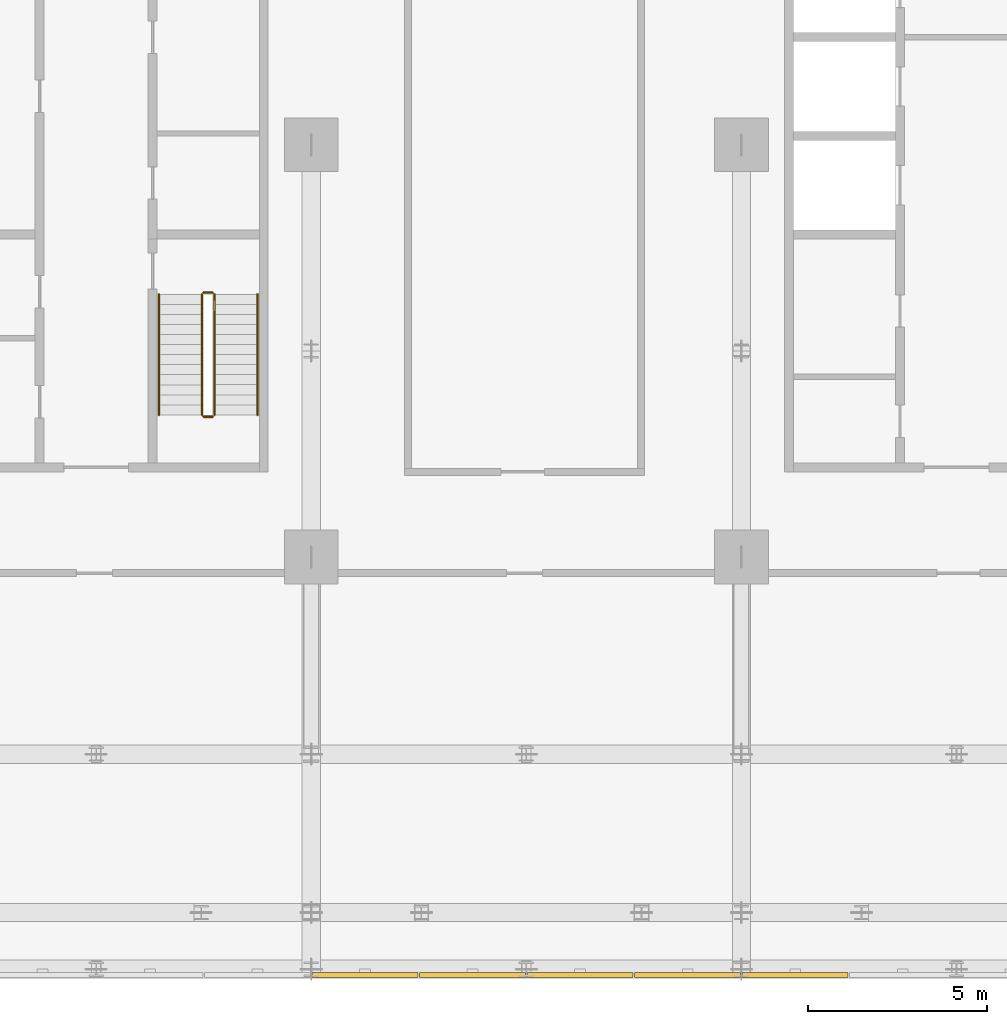
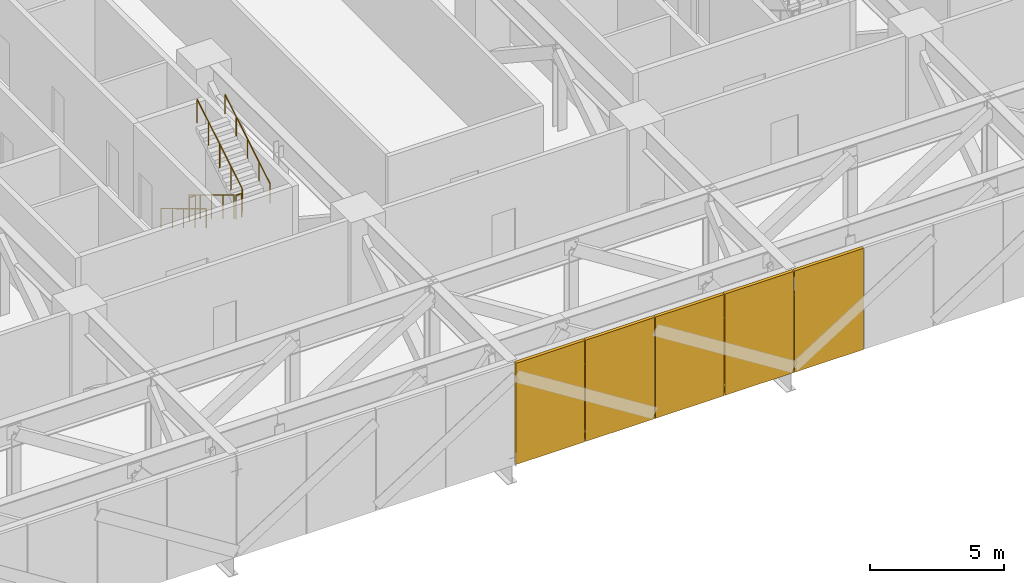
# One storey, part 22 of 26: 6 railings, 5 coverings.
"""IFC4 building model written with IfcOpenShell, lengths in metres."""

from ifc_helpers import new_model, si_unit, direction, frame, origin, origin_2d, place, context, subcontext, project, spatial, rectangle, circle, extrude, material, type_object, element, save


model = new_model("IFC4")

# Units and contexts
model_context = context("Model", 3, precision=1e-05, world=origin(), true_north=direction((0.0, 1.0)))
body_context = subcontext(model_context, "Body", "Model", "MODEL_VIEW")
ifc_project = project(units=[si_unit("LENGTHUNIT", "METRE"), si_unit("AREAUNIT", "SQUARE_METRE"), si_unit("VOLUMEUNIT", "CUBIC_METRE"), si_unit("PLANEANGLEUNIT", "RADIAN"), si_unit("MASSUNIT", "GRAM", prefix="KILO")], contexts=[model_context])

# Site, building, storey
site_placement = place(None, origin())
site = spatial("IfcSite", under=ifc_project, at=site_placement, CompositionType="ELEMENT")
building_placement = place(site_placement, origin())
building = spatial("IfcBuilding", under=site, at=building_placement, Name="Mahtab Terrace Research Tower", CompositionType="ELEMENT")
storey_placement = place(building_placement, frame((0.0, 0.0, 80.39990234375)))
storey = spatial("IfcBuildingStorey", under=building, at=storey_placement, Name="L18", CompositionType="ELEMENT", Elevation=80.39990234375)

# Coverings
ifc_material_1 = material(Name="Natural anodised aluminium", Category="aluminium")
covering_type = type_object("IfcCoveringType", Name="Plant storey louvre bay", PredefinedType="CLADDING", material=ifc_material_1)
for number, where, z_axis, x_axis, name in (
    (1, (7.5, -23.159912109375, -0.5498046875), (0.0, 0.0, 1.0), (1.0, 0.0, 0.0), "Louvre bay L18 69"),
    (2, (10.5, -23.159912109375, -0.5498046875), (0.0, 0.0, 1.0), (1.0, 0.0, 0.0), "Louvre bay L18 70"),
    (3, (13.5, -23.159912109375, -0.5498046875), (0.0, 0.0, 1.0), (1.0, 0.0, 0.0), "Louvre bay L18 71"),
    (4, (16.5, -23.159912109375, -0.5498046875), (0.0, 0.0, 1.0), (1.0, 0.0, 0.0), "Louvre bay L18 72"),
    (5, (19.5, -23.159912109375, -0.5498046875), (0.0, 0.0, 1.0), (1.0, 0.0, 0.0), "Louvre bay L18 73"),
):
    element("IfcCovering", number, at=place(storey_placement, frame(where, z_axis=z_axis, x_axis=x_axis)), inside=storey, type_object=covering_type, Name=name, PredefinedType="CLADDING", context=body_context, shape_type="SweptSolid", body=[
        extrude(rectangle(XDim=2.9599609375, YDim=0.139892578125, at=origin_2d()), origin(), (0.0, 0.0, 1.0), 4.610107421875),
    ])

# Railings
ifc_material_2 = material(Name="Stainless steel AISI 304", Category="steel")
railing_type_1 = type_object("IfcRailingType", Name="Stair guard 1100", PredefinedType="GUARDRAIL", material=ifc_material_2)
railing_1_placement = place(storey_placement, frame((2.949951171875, -4.175048828125, 0.16943359375)))
element("IfcRailing", 6, at=railing_1_placement, inside=storey, type_object=railing_type_1, Name="L18 ST2 stair guard 1", PredefinedType="GUARDRAIL", context=body_context, shape_type="SweptSolid", body=[
    extrude(circle(Radius=0.02392578125, at=origin_2d()), frame((0.0, 0.0, 1.076171875), z_axis=(0.0, -0.855820338506, 0.51727318527), x_axis=(1.0, 0.0, 0.0)), (0.0, 0.0, 1.0), 3.92578125),
    extrude(circle(Radius=0.02099609375, at=origin_2d()), origin(), (0.0, 0.0, 1.0), 1.052001953125),
    extrude(circle(Radius=0.02099609375, at=origin_2d()), frame((0.0, -0.83984375, 0.5078125)), (0.0, 0.0, 1.0), 1.052001953125),
    extrude(circle(Radius=0.02099609375, at=origin_2d()), frame((0.0, -1.679931640625, 1.015380859375)), (0.0, 0.0, 1.0), 1.052001953125),
    extrude(circle(Radius=0.02099609375, at=origin_2d()), frame((0.0, -2.52001953125, 1.52294921875)), (0.0, 0.0, 1.0), 1.052001953125),
    extrude(circle(Radius=0.02099609375, at=origin_2d()), frame((0.0, -3.35986328125, 2.03076171875)), (0.0, 0.0, 1.0), 1.052001953125),
])
railing_2_placement = place(storey_placement, frame((3.0, -7.5849609375, 2.2001953125)))
element("IfcRailing", 7, at=railing_2_placement, inside=storey, type_object=railing_type_1, Name="L18 ST2 stair guard 2", PredefinedType="GUARDRAIL", context=body_context, shape_type="SweptSolid", body=[
    extrude(circle(Radius=0.02392578125, at=origin_2d()), frame((0.0, 0.0, 1.076171875), z_axis=(1.0, 0.0, 0.0), x_axis=(0.0, 1.0, 0.0)), (0.0, 0.0, 1.0), 0.25),
    extrude(circle(Radius=0.02099609375, at=origin_2d()), origin(), (0.0, 0.0, 1.0), 1.052001953125),
    extrude(circle(Radius=0.02099609375, at=origin_2d()), frame((0.25, 0.0, 0.0)), (0.0, 0.0, 1.0), 1.052001953125),
])
railing_3_placement = place(storey_placement, frame((3.300048828125, -7.534912109375, 2.369384765625)))
element("IfcRailing", 8, at=railing_3_placement, inside=storey, type_object=railing_type_1, Name="L18 ST2 stair guard 3", PredefinedType="GUARDRAIL", context=body_context, shape_type="SweptSolid", body=[
    extrude(circle(Radius=0.02392578125, at=origin_2d()), frame((0.0, 0.0, 1.076171875), z_axis=(0.0, 0.855820338506, 0.51727318527), x_axis=(-1.0, 0.0, 0.0)), (0.0, 0.0, 1.0), 3.92578125),
    extrude(circle(Radius=0.02099609375, at=origin_2d()), origin(), (0.0, 0.0, 1.0), 1.052001953125),
    extrude(circle(Radius=0.02099609375, at=origin_2d()), frame((0.0, 0.83984375, 0.5078125)), (0.0, 0.0, 1.0), 1.052001953125),
    extrude(circle(Radius=0.02099609375, at=origin_2d()), frame((0.0, 1.679931640625, 1.015380859375)), (0.0, 0.0, 1.0), 1.052001953125),
    extrude(circle(Radius=0.02099609375, at=origin_2d()), frame((0.0, 2.52001953125, 1.52294921875)), (0.0, 0.0, 1.0), 1.052001953125),
    extrude(circle(Radius=0.02099609375, at=origin_2d()), frame((0.0, 3.35986328125, 2.03076171875)), (0.0, 0.0, 1.0), 1.052001953125),
])
railing_4_placement = place(storey_placement, frame((3.0, -4.125, 0.0)))
element("IfcRailing", 9, at=railing_4_placement, inside=storey, type_object=railing_type_1, Name="L18 ST2 stair guard 4", PredefinedType="GUARDRAIL", context=body_context, shape_type="SweptSolid", body=[
    extrude(circle(Radius=0.02392578125, at=origin_2d()), frame((0.0, 0.0, 1.076171875), z_axis=(1.0, 0.0, 0.0), x_axis=(0.0, 1.0, 0.0)), (0.0, 0.0, 1.0), 0.25),
    extrude(circle(Radius=0.02099609375, at=origin_2d()), origin(), (0.0, 0.0, 1.0), 1.052001953125),
    extrude(circle(Radius=0.02099609375, at=origin_2d()), frame((0.25, 0.0, 0.0)), (0.0, 0.0, 1.0), 1.052001953125),
])
railing_type_2 = type_object("IfcRailingType", Name="Stair handrail 900", PredefinedType="HANDRAIL", material=ifc_material_2)
railing_5_placement = place(storey_placement, frame((1.75, -4.175048828125, 0.16943359375)))
element("IfcRailing", 10, at=railing_5_placement, inside=storey, type_object=railing_type_2, Name="L18 ST2 stair handrail 1", PredefinedType="HANDRAIL", context=body_context, shape_type="SweptSolid", body=[
    extrude(circle(Radius=0.02392578125, at=origin_2d()), frame((0.0, 0.0, 0.8759765625), z_axis=(0.0, -0.855820338506, 0.51727318527), x_axis=(1.0, 0.0, 0.0)), (0.0, 0.0, 1.0), 3.92578125),
    extrude(circle(Radius=0.02099609375, at=origin_2d()), origin(), (0.0, 0.0, 1.0), 0.851806640625),
    extrude(circle(Radius=0.02099609375, at=origin_2d()), frame((0.0, -0.83984375, 0.5078125)), (0.0, 0.0, 1.0), 0.851806640625),
    extrude(circle(Radius=0.02099609375, at=origin_2d()), frame((0.0, -1.679931640625, 1.015380859375)), (0.0, 0.0, 1.0), 0.851806640625),
    extrude(circle(Radius=0.02099609375, at=origin_2d()), frame((0.0, -2.52001953125, 1.52294921875)), (0.0, 0.0, 1.0), 0.851806640625),
    extrude(circle(Radius=0.02099609375, at=origin_2d()), frame((0.0, -3.35986328125, 2.03076171875)), (0.0, 0.0, 1.0), 0.851806640625),
])
railing_6_placement = place(storey_placement, frame((4.5, -7.534912109375, 2.369384765625)))
element("IfcRailing", 11, at=railing_6_placement, inside=storey, type_object=railing_type_2, Name="L18 ST2 stair handrail 2", PredefinedType="HANDRAIL", context=body_context, shape_type="SweptSolid", body=[
    extrude(circle(Radius=0.02392578125, at=origin_2d()), frame((0.0, 0.0, 0.8759765625), z_axis=(0.0, 0.855820338506, 0.51727318527), x_axis=(-1.0, 0.0, 0.0)), (0.0, 0.0, 1.0), 3.92578125),
    extrude(circle(Radius=0.02099609375, at=origin_2d()), origin(), (0.0, 0.0, 1.0), 0.851806640625),
    extrude(circle(Radius=0.02099609375, at=origin_2d()), frame((0.0, 0.83984375, 0.5078125)), (0.0, 0.0, 1.0), 0.851806640625),
    extrude(circle(Radius=0.02099609375, at=origin_2d()), frame((0.0, 1.679931640625, 1.015380859375)), (0.0, 0.0, 1.0), 0.851806640625),
    extrude(circle(Radius=0.02099609375, at=origin_2d()), frame((0.0, 2.52001953125, 1.52294921875)), (0.0, 0.0, 1.0), 0.851806640625),
    extrude(circle(Radius=0.02099609375, at=origin_2d()), frame((0.0, 3.35986328125, 2.03076171875)), (0.0, 0.0, 1.0), 0.851806640625),
])

save(model, "model.ifc")
